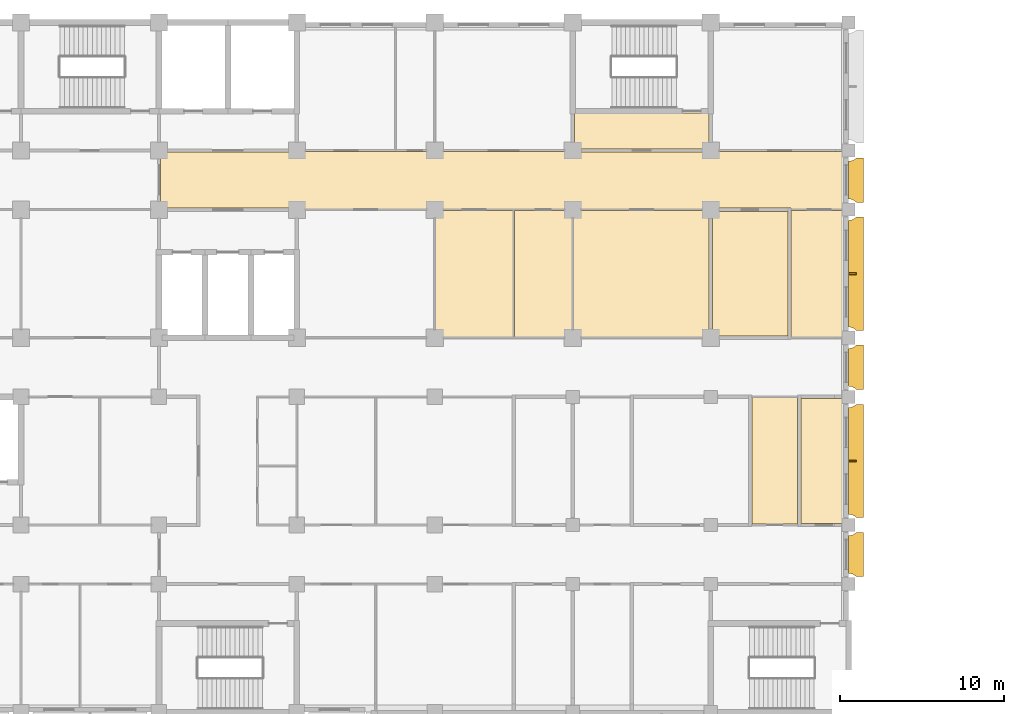
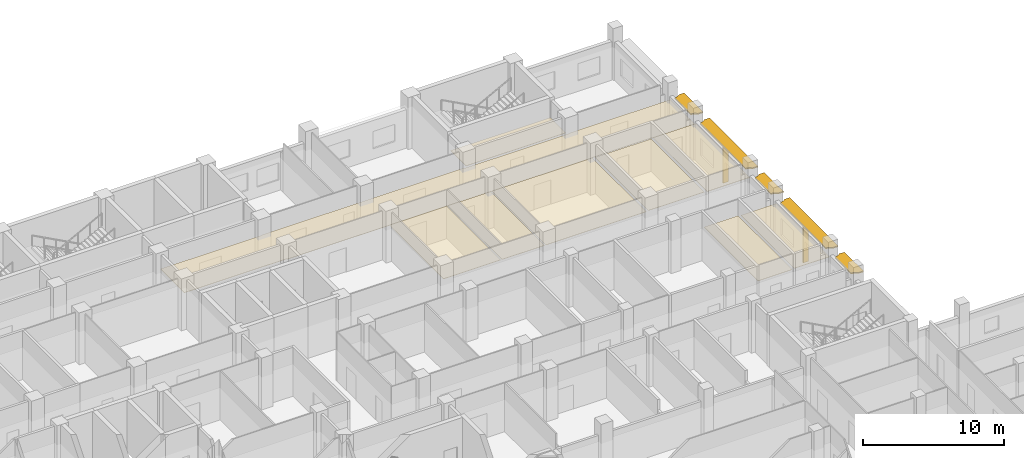
# One storey, part 131 of 136: 9 coverings, 7 shading devices.
"""IFC4 building model written with IfcOpenShell, lengths in metres."""

from ifc_helpers import new_model, si_unit, direction, frame, origin, origin_2d, place, context, subcontext, project, spatial, polyline, rectangle, outline, extrude, material, layer, layer_set, material_profile, profile_set, type_object, element, save


model = new_model("IFC4")

# Units and contexts
model_context = context("Model", 3, precision=1e-05, world=origin(), true_north=direction((0.0, 1.0)))
body_context = subcontext(model_context, "Body", "Model", "MODEL_VIEW")
ifc_project = project(units=[si_unit("LENGTHUNIT", "METRE"), si_unit("AREAUNIT", "SQUARE_METRE"), si_unit("VOLUMEUNIT", "CUBIC_METRE"), si_unit("PLANEANGLEUNIT", "RADIAN"), si_unit("MASSUNIT", "GRAM", prefix="KILO")], contexts=[model_context])

# Site, building, storey
site_placement = place(None, origin())
site = spatial("IfcSite", under=ifc_project, at=site_placement, CompositionType="ELEMENT")
building_placement = place(site_placement, origin())
building = spatial("IfcBuilding", under=site, at=building_placement, Name="Bougainvillea Quay General Hospital", CompositionType="ELEMENT")
storey_placement = place(building_placement, frame((0.0, 0.0, 5.39990234375)))
storey = spatial("IfcBuildingStorey", under=building, at=storey_placement, Name="L01", CompositionType="ELEMENT", Elevation=5.39990234375)

# Shading devices
ifc_material_1 = material(Name="Powder-coated aluminium canopy soffit and fascia, white", Category="aluminium")
ifc_layer_1 = layer(ifc_material_1, 0.10009765625)
ifc_layer_set_1 = layer_set([ifc_layer_1], Name="Powder-coated aluminium canopy soffit and fascia, white")
shading_device_type_1 = type_object("IfcShadingDeviceType", Name="Sunshade 100", PredefinedType="USERDEFINED", material=ifc_layer_set_1)
shading_device_1_placement = place(storey_placement, frame((0.0, 0.0, 3.150146484375)))
element("IfcShadingDevice", 1, at=shading_device_1_placement, inside=storey, type_object=shading_device_type_1, Name="Sunshade 0", ObjectType="Sunshade", PredefinedType="USERDEFINED", context=body_context, shape_type="SweptSolid", body=[
    extrude(outline(polyline([(193.199951171875, 128.35009765625), (193.199951171875, 126.050048828125), (193.326904296875, 126.03759765625), (193.44873046875, 126.00048828125), (193.56103515625, 125.9404296875), (193.66845703125, 125.85009765625), (194.10009765625, 125.85009765625), (194.10009765625, 128.550048828125), (193.66845703125, 128.550048828125), (193.56103515625, 128.45947265625), (193.44873046875, 128.3994140625), (193.326904296875, 128.362548828125), (193.199951171875, 128.35009765625)])), origin(), (0.0, 0.0, 1.0), 0.099853515625),
])
shading_device_2_placement = place(storey_placement, frame((0.0, 0.0, 3.150146484375)))
element("IfcShadingDevice", 2, at=shading_device_2_placement, inside=storey, type_object=shading_device_type_1, Name="Sunshade 0", ObjectType="Sunshade", PredefinedType="USERDEFINED", context=body_context, shape_type="SweptSolid", body=[
    extrude(outline(polyline([(193.199951171875, 136.14990234375), (193.199951171875, 129.64990234375), (193.326904296875, 129.637451171875), (193.44873046875, 129.6005859375), (193.56103515625, 129.54052734375), (193.66845703125, 129.449951171875), (194.10009765625, 129.449951171875), (194.10009765625, 136.35009765625), (193.66845703125, 136.35009765625), (193.56103515625, 136.259521484375), (193.44873046875, 136.199462890625), (193.326904296875, 136.16259765625), (193.199951171875, 136.14990234375)])), origin(), (0.0, 0.0, 1.0), 0.099853515625),
])
shading_device_3_placement = place(storey_placement, frame((0.0, 0.0, 3.150146484375)))
element("IfcShadingDevice", 3, at=shading_device_3_placement, inside=storey, type_object=shading_device_type_1, Name="Sunshade 0", ObjectType="Sunshade", PredefinedType="USERDEFINED", context=body_context, shape_type="SweptSolid", body=[
    extrude(outline(polyline([(193.199951171875, 139.75), (193.199951171875, 137.449951171875), (193.326904296875, 137.4375), (193.44873046875, 137.400634765625), (193.56103515625, 137.340576171875), (193.66845703125, 137.25), (194.10009765625, 137.25), (194.10009765625, 139.949951171875), (193.66845703125, 139.949951171875), (193.56103515625, 139.859619140625), (193.44873046875, 139.799560546875), (193.326904296875, 139.762451171875), (193.199951171875, 139.75)])), origin(), (0.0, 0.0, 1.0), 0.099853515625),
])
shading_device_4_placement = place(storey_placement, frame((0.0, 0.0, 3.150146484375)))
element("IfcShadingDevice", 4, at=shading_device_4_placement, inside=storey, type_object=shading_device_type_1, Name="Sunshade 0", ObjectType="Sunshade", PredefinedType="USERDEFINED", context=body_context, shape_type="SweptSolid", body=[
    extrude(outline(polyline([(193.199951171875, 147.550048828125), (193.199951171875, 141.050048828125), (193.326904296875, 141.03759765625), (193.44873046875, 141.00048828125), (193.56103515625, 140.9404296875), (193.66845703125, 140.85009765625), (194.10009765625, 140.85009765625), (194.10009765625, 147.75), (193.66845703125, 147.75), (193.56103515625, 147.659423828125), (193.44873046875, 147.599365234375), (193.326904296875, 147.5625), (193.199951171875, 147.550048828125)])), origin(), (0.0, 0.0, 1.0), 0.099853515625),
])
shading_device_5_placement = place(storey_placement, frame((0.0, 0.0, 3.150146484375)))
element("IfcShadingDevice", 5, at=shading_device_5_placement, inside=storey, type_object=shading_device_type_1, Name="Sunshade 0", ObjectType="Sunshade", PredefinedType="USERDEFINED", context=body_context, shape_type="SweptSolid", body=[
    extrude(outline(polyline([(193.199951171875, 151.14990234375), (193.199951171875, 148.85009765625), (193.326904296875, 148.83740234375), (193.44873046875, 148.800537109375), (193.56103515625, 148.740478515625), (193.66845703125, 148.64990234375), (194.10009765625, 148.64990234375), (194.10009765625, 151.35009765625), (193.66845703125, 151.35009765625), (193.56103515625, 151.259521484375), (193.44873046875, 151.199462890625), (193.326904296875, 151.16259765625), (193.199951171875, 151.14990234375)])), origin(), (0.0, 0.0, 1.0), 0.099853515625),
])

# Coverings
ifc_material_2 = material(Name="Mineral fibre ceiling tile")
ifc_layer_2 = layer(ifc_material_2, 0.030029296875)
ifc_layer_set_2 = layer_set([ifc_layer_2], Name="Mineral fibre ceiling tile")
covering_type = type_object("IfcCoveringType", Name="Suspended ceiling mineral fibre tile", PredefinedType="CEILING", material=ifc_layer_set_2)
covering_1_placement = place(storey_placement, frame((0.0, 0.0, 2.7001953125)))
element("IfcCovering", 6, at=covering_1_placement, inside=storey, type_object=covering_type, Name="Ceiling Corridor V4-4", PredefinedType="CEILING", context=body_context, shape_type="SweptSolid", body=[
    extrude(outline(polyline([(193.199951171875, 151.75), (184.89990234375, 151.75), (184.89990234375, 151.699951171875), (176.300048828125, 151.699951171875), (176.300048828125, 151.75), (159.699951171875, 151.75), (159.699951171875, 151.699951171875), (151.300048828125, 151.699951171875), (151.300048828125, 148.300048828125), (159.699951171875, 148.300048828125), (159.699951171875, 148.25), (184.699951171875, 148.25), (184.699951171875, 148.300048828125), (189.699951171875, 148.300048828125), (189.699951171875, 148.25), (193.199951171875, 148.25), (193.199951171875, 151.75)])), origin(), (0.0, 0.0, 1.0), 0.02978515625),
])
covering_2_placement = place(storey_placement, frame((0.0, 0.0, 2.7001953125)))
element("IfcCovering", 7, at=covering_2_placement, inside=storey, type_object=covering_type, Name="Ceiling Smoke-proof Stair Vestibule ST-A4", PredefinedType="CEILING", context=body_context, shape_type="SweptSolid", body=[
    extrude(outline(polyline([(184.699951171875, 151.89990234375), (184.699951171875, 154.10009765625), (176.5, 154.10009765625), (176.5, 151.89990234375), (184.699951171875, 151.89990234375)])), origin(), (0.0, 0.0, 1.0), 0.02978515625),
])
covering_3_placement = place(storey_placement, frame((0.0, 0.0, 2.800048828125)))
element("IfcCovering", 8, at=covering_3_placement, inside=storey, type_object=covering_type, Name="Ceiling Theatre Support Staff WC", PredefinedType="CEILING", context=body_context, shape_type="SweptSolid", body=[
    extrude(outline(polyline([(190.10009765625, 129.050048828125), (190.10009765625, 136.75), (187.300048828125, 136.75), (187.300048828125, 129.050048828125), (190.10009765625, 129.050048828125)])), origin(), (0.0, 0.0, 1.0), 0.030029296875),
])
covering_4_placement = place(storey_placement, frame((0.0, 0.0, 2.800048828125)))
element("IfcCovering", 9, at=covering_4_placement, inside=storey, type_object=covering_type, Name="Ceiling Theatre Link Equipment Store", PredefinedType="CEILING", context=body_context, shape_type="SweptSolid", body=[
    extrude(outline(polyline([(193.199951171875, 136.699951171875), (190.300048828125, 136.699951171875), (190.300048828125, 129.10009765625), (193.199951171875, 129.10009765625), (193.199951171875, 136.699951171875)])), origin(), (0.0, 0.0, 1.0), 0.030029296875),
])
covering_5_placement = place(storey_placement, frame((0.0, 0.0, 2.800048828125)))
element("IfcCovering", 10, at=covering_5_placement, inside=storey, type_object=covering_type, Name="Ceiling Dialysis Isolation Room 01", PredefinedType="CEILING", context=body_context, shape_type="SweptSolid", body=[
    extrude(outline(polyline([(172.75, 148.14990234375), (168.050048828125, 148.14990234375), (168.050048828125, 140.449951171875), (172.75, 140.449951171875), (172.75, 148.14990234375)])), origin(), (0.0, 0.0, 1.0), 0.030029296875),
])
covering_6_placement = place(storey_placement, frame((0.0, 0.0, 2.800048828125)))
element("IfcCovering", 11, at=covering_6_placement, inside=storey, type_object=covering_type, Name="Ceiling Dialysis Nurses' Station", PredefinedType="CEILING", context=body_context, shape_type="SweptSolid", body=[
    extrude(outline(polyline([(172.85009765625, 148.14990234375), (172.85009765625, 140.449951171875), (176.35009765625, 140.449951171875), (176.35009765625, 148.14990234375), (172.85009765625, 148.14990234375)])), origin(), (0.0, 0.0, 1.0), 0.030029296875),
])
covering_7_placement = place(storey_placement, frame((0.0, 0.0, 2.800048828125)))
element("IfcCovering", 12, at=covering_7_placement, inside=storey, type_object=covering_type, Name="Ceiling Dialysis Treatment Bay Room 03", PredefinedType="CEILING", context=body_context, shape_type="SweptSolid", body=[
    extrude(outline(polyline([(184.699951171875, 140.449951171875), (184.699951171875, 148.14990234375), (176.449951171875, 148.14990234375), (176.449951171875, 140.449951171875), (184.699951171875, 140.449951171875)])), origin(), (0.0, 0.0, 1.0), 0.030029296875),
])
covering_8_placement = place(storey_placement, frame((0.0, 0.0, 2.800048828125)))
element("IfcCovering", 13, at=covering_8_placement, inside=storey, type_object=covering_type, Name="Ceiling Dialysis Water Treatment Room", PredefinedType="CEILING", context=body_context, shape_type="SweptSolid", body=[
    extrude(outline(polyline([(189.5, 140.5), (189.5, 148.10009765625), (184.89990234375, 148.10009765625), (184.89990234375, 140.5), (189.5, 140.5)])), origin(), (0.0, 0.0, 1.0), 0.030029296875),
])
covering_9_placement = place(storey_placement, frame((0.0, 0.0, 2.800048828125)))
element("IfcCovering", 14, at=covering_9_placement, inside=storey, type_object=covering_type, Name="Ceiling Dialysis Treatment Bay Room 04", PredefinedType="CEILING", context=body_context, shape_type="SweptSolid", body=[
    extrude(outline(polyline([(193.199951171875, 148.14990234375), (189.699951171875, 148.14990234375), (189.699951171875, 140.449951171875), (193.199951171875, 140.449951171875), (193.199951171875, 148.14990234375)])), origin(), (0.0, 0.0, 1.0), 0.030029296875),
])

# Shading devices
ifc_material_3 = material(Name="Powder-coated aluminium fin, white", Category="aluminium")
ifc_material_profile = material_profile(ifc_material_3, rectangle(XDim=0.449951171875, YDim=0.10009765625, at=origin_2d()))
ifc_profile_set = profile_set([ifc_material_profile], Name="Powder-coated aluminium fin, white")
shading_device_type_2 = type_object("IfcShadingDeviceType", Name="Vertical fin 450x100", PredefinedType="USERDEFINED", material=ifc_profile_set)
for number, where, z_axis, x_axis, name in (
    (15, (193.425048828125, 132.89990234375, 0.0), (0.0, 0.0, 1.0), (1.0, 0.0, 0.0), "Vertical fin 00c 1"),
    (16, (193.425048828125, 144.300048828125, 0.0), (0.0, 0.0, 1.0), (1.0, 0.0, 0.0), "Vertical fin 00e 1"),
):
    element("IfcShadingDevice", number, at=place(storey_placement, frame(where, z_axis=z_axis, x_axis=x_axis)), inside=storey, type_object=shading_device_type_2, Name=name, ObjectType="Vertical fin", PredefinedType="USERDEFINED", context=body_context, shape_type="SweptSolid", body=[
        extrude(rectangle(XDim=0.449951171875, YDim=0.10009765625, at=origin_2d()), origin(), (0.0, 0.0, 1.0), 3.150146484375),
    ])

save(model, "model.ifc")
